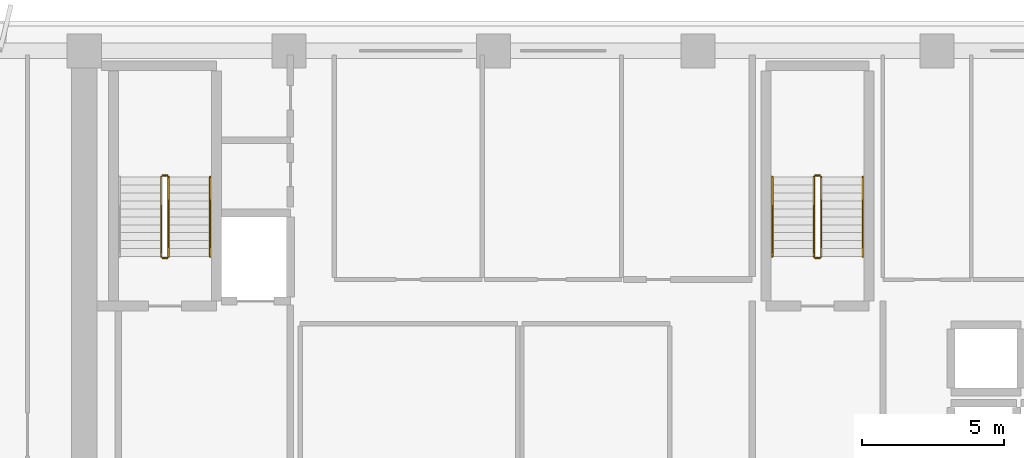
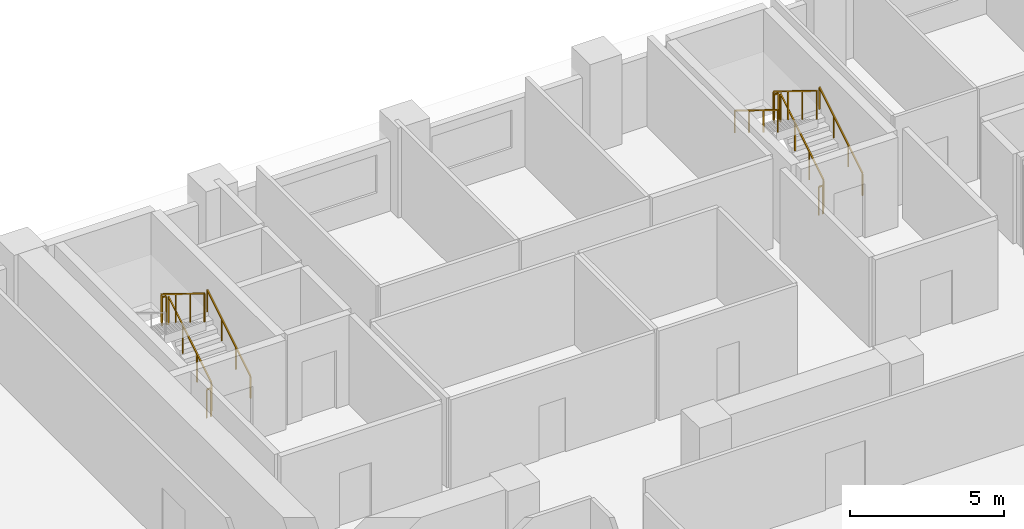
# One storey, part 13 of 15: 11 railings.
"""IFC4 building model written with IfcOpenShell, lengths in metres."""

from ifc_helpers import new_model, si_unit, direction, frame, origin, origin_2d, place, context, subcontext, project, spatial, rectangle, extrude, material, type_object, element, save


model = new_model("IFC4")

# Units and contexts
model_context = context("Model", 3, precision=1e-05, world=origin(), true_north=direction((0.0, 1.0)))
body_context = subcontext(model_context, "Body", "Model", "MODEL_VIEW")
ifc_project = project(units=[si_unit("LENGTHUNIT", "METRE"), si_unit("AREAUNIT", "SQUARE_METRE"), si_unit("VOLUMEUNIT", "CUBIC_METRE"), si_unit("PLANEANGLEUNIT", "RADIAN"), si_unit("MASSUNIT", "GRAM", prefix="KILO")], contexts=[model_context])

# Site, building, storey
site_placement = place(None, origin())
site = spatial("IfcSite", under=ifc_project, at=site_placement, CompositionType="ELEMENT")
building_placement = place(site_placement, origin())
building = spatial("IfcBuilding", under=site, at=building_placement, Name="Kaelvorn Grand Hotel", CompositionType="ELEMENT")
storey_placement = place(building_placement, frame((0.0, 0.0, 154.35009765625)))
storey = spatial("IfcBuildingStorey", under=building, at=storey_placement, Name="L37", CompositionType="ELEMENT", Elevation=154.35009765625)

# Railings
ifc_material = material(Name="Stainless Steel", Category="steel")
railing_type_1 = type_object("IfcRailingType", Name="RL-HANDRAIL-900", PredefinedType="HANDRAIL", material=ifc_material)
for number, where, name in (
    (1, (20.6298828125, 41.760009765625, 0.172607421875), "L37 ST1 stair handrail 1"),
    (2, (43.590087890625, 41.760009765625, 0.172607421875), "L37 ST2 stair handrail 1"),
):
    element("IfcRailing", number, at=place(storey_placement, frame(where)), inside=storey, type_object=railing_type_1, Name=name, PredefinedType="HANDRAIL", context=body_context, shape_type="SweptSolid", body=[
        extrude(rectangle(XDim=0.048095703125, YDim=0.048095703125, at=origin_2d()), frame((0.0, 0.0, 0.8759765625), z_axis=(0.0, 0.851089632645, 0.525020415988), x_axis=(-1.0, 0.0, 0.0)), (0.0, 0.0, 1.0), 3.2900390625),
        extrude(rectangle(XDim=0.0419921875, YDim=0.0419921875, at=origin_2d()), origin(), (0.0, 0.0, 1.0), 0.851806640625),
        extrude(rectangle(XDim=0.0419921875, YDim=0.0419921875, at=origin_2d()), frame((0.0, 0.933349609375, 0.57568359375)), (0.0, 0.0, 1.0), 0.851806640625),
        extrude(rectangle(XDim=0.0419921875, YDim=0.0419921875, at=origin_2d()), frame((0.0, 1.86669921875, 1.151611328125)), (0.0, 0.0, 1.0), 0.851806640625),
        extrude(rectangle(XDim=0.0419921875, YDim=0.0419921875, at=origin_2d()), frame((0.0, 2.800048828125, 1.727294921875)), (0.0, 0.0, 1.0), 0.851806640625),
    ])
railing_1_placement = place(storey_placement, frame((40.409912109375, 44.56005859375, 2.072509765625)))
element("IfcRailing", 3, at=railing_1_placement, inside=storey, type_object=railing_type_1, Name="L37 ST2 stair handrail 2", PredefinedType="HANDRAIL", context=body_context, shape_type="SweptSolid", body=[
    extrude(rectangle(XDim=0.048095703125, YDim=0.048095703125, at=origin_2d()), frame((0.0, 0.0, 0.8759765625), z_axis=(0.0, -0.851089632645, 0.525020415988), x_axis=(1.0, 0.0, 0.0)), (0.0, 0.0, 1.0), 3.2900390625),
    extrude(rectangle(XDim=0.0419921875, YDim=0.0419921875, at=origin_2d()), origin(), (0.0, 0.0, 1.0), 0.851806640625),
    extrude(rectangle(XDim=0.0419921875, YDim=0.0419921875, at=origin_2d()), frame((0.0, -0.933349609375, 0.57568359375)), (0.0, 0.0, 1.0), 0.851806640625),
    extrude(rectangle(XDim=0.0419921875, YDim=0.0419921875, at=origin_2d()), frame((0.0, -1.86669921875, 1.151611328125)), (0.0, 0.0, 1.0), 0.851806640625),
    extrude(rectangle(XDim=0.0419921875, YDim=0.0419921875, at=origin_2d()), frame((0.0, -2.800048828125, 1.727294921875)), (0.0, 0.0, 1.0), 0.851806640625),
])
railing_type_2 = type_object("IfcRailingType", Name="RL-STAIR-GUARD-1150", PredefinedType="BALUSTRADE", material=ifc_material)
railing_2_placement = place(storey_placement, frame((19.169921875, 41.760009765625, 0.172607421875)))
element("IfcRailing", 4, at=railing_2_placement, inside=storey, type_object=railing_type_2, Name="L37 ST1 stair guard 1", PredefinedType="BALUSTRADE", context=body_context, shape_type="SweptSolid", body=[
    extrude(rectangle(XDim=0.048095703125, YDim=0.048095703125, at=origin_2d()), frame((0.0, 0.0, 1.1259765625), z_axis=(0.0, 0.851089632645, 0.525020415988), x_axis=(-1.0, 0.0, 0.0)), (0.0, 0.0, 1.0), 3.2900390625),
    extrude(rectangle(XDim=0.0419921875, YDim=0.0419921875, at=origin_2d()), origin(), (0.0, 0.0, 1.0), 1.101806640625),
    extrude(rectangle(XDim=0.0419921875, YDim=0.0419921875, at=origin_2d()), frame((0.0, 0.933349609375, 0.57568359375)), (0.0, 0.0, 1.0), 1.101806640625),
    extrude(rectangle(XDim=0.0419921875, YDim=0.0419921875, at=origin_2d()), frame((0.0, 1.86669921875, 1.151611328125)), (0.0, 0.0, 1.0), 1.101806640625),
    extrude(rectangle(XDim=0.0419921875, YDim=0.0419921875, at=origin_2d()), frame((0.0, 2.800048828125, 1.727294921875)), (0.0, 0.0, 1.0), 1.101806640625),
])
railing_3_placement = place(storey_placement, frame((19.1201171875, 44.610107421875, 1.89990234375)))
element("IfcRailing", 5, at=railing_3_placement, inside=storey, type_object=railing_type_2, Name="L37 ST1 stair guard 2", PredefinedType="BALUSTRADE", context=body_context, shape_type="SweptSolid", body=[
    extrude(rectangle(XDim=0.048095703125, YDim=0.048095703125, at=origin_2d()), frame((0.0, 0.0, 1.1259765625), z_axis=(-1.0, 0.0, 0.0), x_axis=(0.0, -1.0, 0.0)), (0.0, 0.0, 1.0), 0.16015625),
    extrude(rectangle(XDim=0.0419921875, YDim=0.0419921875, at=origin_2d()), origin(), (0.0, 0.0, 1.0), 1.101806640625),
    extrude(rectangle(XDim=0.0419921875, YDim=0.0419921875, at=origin_2d()), frame((-0.16015625, 0.0, 0.0)), (0.0, 0.0, 1.0), 1.101806640625),
])
railing_4_placement = place(storey_placement, frame((18.909912109375, 44.56005859375, 2.072509765625)))
element("IfcRailing", 6, at=railing_4_placement, inside=storey, type_object=railing_type_2, Name="L37 ST1 stair guard 3", PredefinedType="BALUSTRADE", context=body_context, shape_type="SweptSolid", body=[
    extrude(rectangle(XDim=0.048095703125, YDim=0.048095703125, at=origin_2d()), frame((0.0, 0.0, 1.1259765625), z_axis=(0.0, -0.851089632645, 0.525020415988), x_axis=(1.0, 0.0, 0.0)), (0.0, 0.0, 1.0), 3.2900390625),
    extrude(rectangle(XDim=0.0419921875, YDim=0.0419921875, at=origin_2d()), origin(), (0.0, 0.0, 1.0), 1.101806640625),
    extrude(rectangle(XDim=0.0419921875, YDim=0.0419921875, at=origin_2d()), frame((0.0, -0.933349609375, 0.57568359375)), (0.0, 0.0, 1.0), 1.101806640625),
    extrude(rectangle(XDim=0.0419921875, YDim=0.0419921875, at=origin_2d()), frame((0.0, -1.86669921875, 1.151611328125)), (0.0, 0.0, 1.0), 1.101806640625),
    extrude(rectangle(XDim=0.0419921875, YDim=0.0419921875, at=origin_2d()), frame((0.0, -2.800048828125, 1.727294921875)), (0.0, 0.0, 1.0), 1.101806640625),
])
railing_5_placement = place(storey_placement, frame((19.1201171875, 41.7099609375, 0.0)))
element("IfcRailing", 7, at=railing_5_placement, inside=storey, type_object=railing_type_2, Name="L37 ST1 stair guard 4", PredefinedType="BALUSTRADE", context=body_context, shape_type="SweptSolid", body=[
    extrude(rectangle(XDim=0.048095703125, YDim=0.048095703125, at=origin_2d()), frame((0.0, 0.0, 1.1259765625), z_axis=(-1.0, 0.0, 0.0), x_axis=(0.0, -1.0, 0.0)), (0.0, 0.0, 1.0), 0.16015625),
    extrude(rectangle(XDim=0.0419921875, YDim=0.0419921875, at=origin_2d()), origin(), (0.0, 0.0, 1.0), 1.101806640625),
    extrude(rectangle(XDim=0.0419921875, YDim=0.0419921875, at=origin_2d()), frame((-0.16015625, 0.0, 0.0)), (0.0, 0.0, 1.0), 1.101806640625),
])
railing_6_placement = place(storey_placement, frame((42.1298828125, 41.760009765625, 0.172607421875)))
element("IfcRailing", 8, at=railing_6_placement, inside=storey, type_object=railing_type_2, Name="L37 ST2 stair guard 1", PredefinedType="BALUSTRADE", context=body_context, shape_type="SweptSolid", body=[
    extrude(rectangle(XDim=0.048095703125, YDim=0.048095703125, at=origin_2d()), frame((0.0, 0.0, 1.1259765625), z_axis=(0.0, 0.851089632645, 0.525020415988), x_axis=(-1.0, 0.0, 0.0)), (0.0, 0.0, 1.0), 3.2900390625),
    extrude(rectangle(XDim=0.0419921875, YDim=0.0419921875, at=origin_2d()), origin(), (0.0, 0.0, 1.0), 1.101806640625),
    extrude(rectangle(XDim=0.0419921875, YDim=0.0419921875, at=origin_2d()), frame((0.0, 0.933349609375, 0.57568359375)), (0.0, 0.0, 1.0), 1.101806640625),
    extrude(rectangle(XDim=0.0419921875, YDim=0.0419921875, at=origin_2d()), frame((0.0, 1.86669921875, 1.151611328125)), (0.0, 0.0, 1.0), 1.101806640625),
    extrude(rectangle(XDim=0.0419921875, YDim=0.0419921875, at=origin_2d()), frame((0.0, 2.800048828125, 1.727294921875)), (0.0, 0.0, 1.0), 1.101806640625),
])
railing_7_placement = place(storey_placement, frame((42.080078125, 44.610107421875, 1.89990234375)))
element("IfcRailing", 9, at=railing_7_placement, inside=storey, type_object=railing_type_2, Name="L37 ST2 stair guard 2", PredefinedType="BALUSTRADE", context=body_context, shape_type="SweptSolid", body=[
    extrude(rectangle(XDim=0.048095703125, YDim=0.048095703125, at=origin_2d()), frame((0.0, 0.0, 1.1259765625), z_axis=(-1.0, 0.0, 0.0), x_axis=(0.0, -1.0, 0.0)), (0.0, 0.0, 1.0), 0.16015625),
    extrude(rectangle(XDim=0.0419921875, YDim=0.0419921875, at=origin_2d()), origin(), (0.0, 0.0, 1.0), 1.101806640625),
    extrude(rectangle(XDim=0.0419921875, YDim=0.0419921875, at=origin_2d()), frame((-0.16015625, 0.0, 0.0)), (0.0, 0.0, 1.0), 1.101806640625),
])
railing_8_placement = place(storey_placement, frame((41.8701171875, 44.56005859375, 2.072509765625)))
element("IfcRailing", 10, at=railing_8_placement, inside=storey, type_object=railing_type_2, Name="L37 ST2 stair guard 3", PredefinedType="BALUSTRADE", context=body_context, shape_type="SweptSolid", body=[
    extrude(rectangle(XDim=0.048095703125, YDim=0.048095703125, at=origin_2d()), frame((0.0, 0.0, 1.1259765625), z_axis=(0.0, -0.851089632645, 0.525020415988), x_axis=(1.0, 0.0, 0.0)), (0.0, 0.0, 1.0), 3.2900390625),
    extrude(rectangle(XDim=0.0419921875, YDim=0.0419921875, at=origin_2d()), origin(), (0.0, 0.0, 1.0), 1.101806640625),
    extrude(rectangle(XDim=0.0419921875, YDim=0.0419921875, at=origin_2d()), frame((0.0, -0.933349609375, 0.57568359375)), (0.0, 0.0, 1.0), 1.101806640625),
    extrude(rectangle(XDim=0.0419921875, YDim=0.0419921875, at=origin_2d()), frame((0.0, -1.86669921875, 1.151611328125)), (0.0, 0.0, 1.0), 1.101806640625),
    extrude(rectangle(XDim=0.0419921875, YDim=0.0419921875, at=origin_2d()), frame((0.0, -2.800048828125, 1.727294921875)), (0.0, 0.0, 1.0), 1.101806640625),
])
railing_9_placement = place(storey_placement, frame((42.080078125, 41.7099609375, 0.0)))
element("IfcRailing", 11, at=railing_9_placement, inside=storey, type_object=railing_type_2, Name="L37 ST2 stair guard 4", PredefinedType="BALUSTRADE", context=body_context, shape_type="SweptSolid", body=[
    extrude(rectangle(XDim=0.048095703125, YDim=0.048095703125, at=origin_2d()), frame((0.0, 0.0, 1.1259765625), z_axis=(-1.0, 0.0, 0.0), x_axis=(0.0, -1.0, 0.0)), (0.0, 0.0, 1.0), 0.16015625),
    extrude(rectangle(XDim=0.0419921875, YDim=0.0419921875, at=origin_2d()), origin(), (0.0, 0.0, 1.0), 1.101806640625),
    extrude(rectangle(XDim=0.0419921875, YDim=0.0419921875, at=origin_2d()), frame((-0.16015625, 0.0, 0.0)), (0.0, 0.0, 1.0), 1.101806640625),
])

save(model, "model.ifc")
